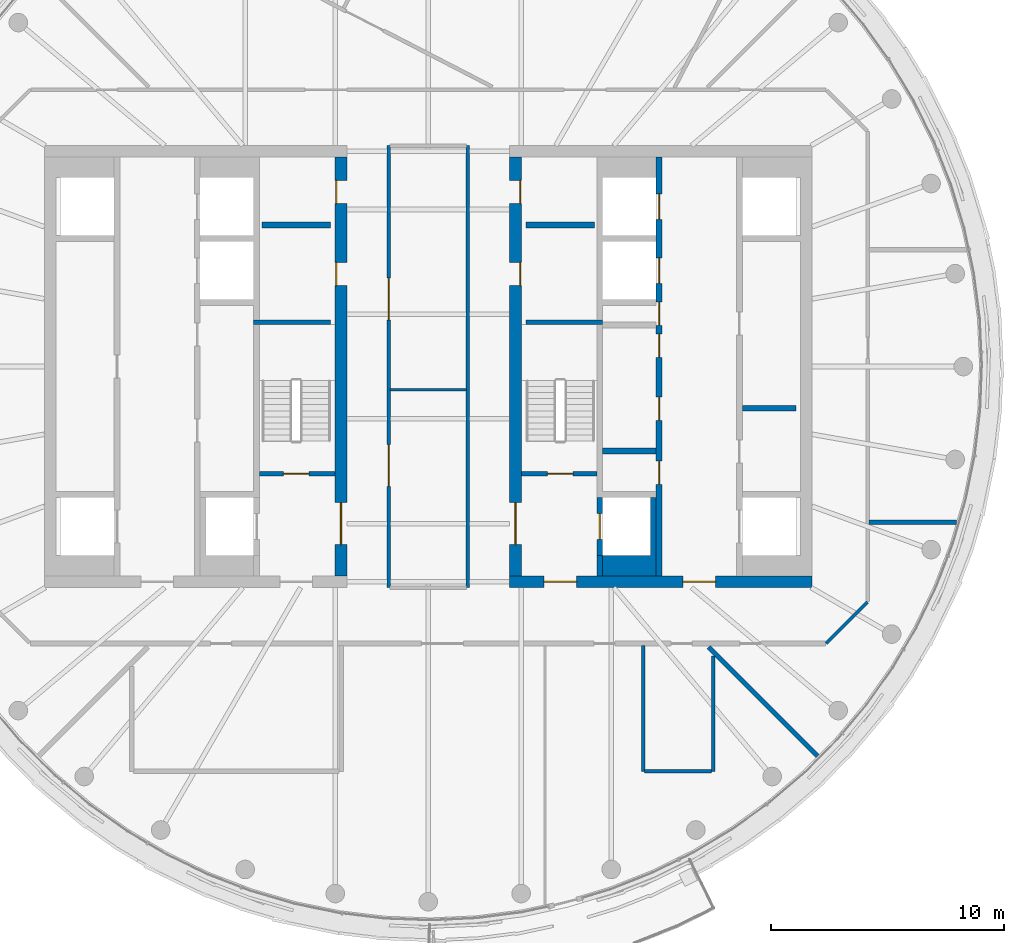
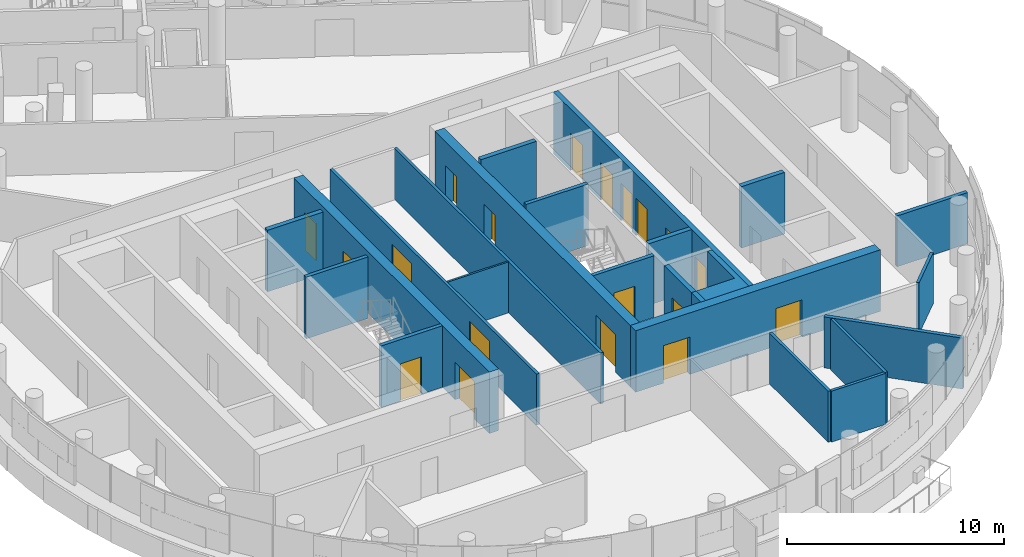
# One storey, part 14 of 21: 24 walls, 19 doors, 19 openings.
"""IFC4 building model written with IfcOpenShell, lengths in metres."""

from ifc_helpers import new_model, si_unit, direction, frame, frame_2d, origin, place, context, subcontext, project, spatial, polyline, rectangle, outline, extrude, material, layer, layer_set, type_object, element, fill, save


model = new_model("IFC4")

# Units and contexts
model_context = context("Model", 3, precision=1e-05, world=origin(), true_north=direction((0.0, 1.0)))
body_context = subcontext(model_context, "Body", "Model", "MODEL_VIEW")
ifc_project = project(units=[si_unit("LENGTHUNIT", "METRE"), si_unit("AREAUNIT", "SQUARE_METRE"), si_unit("VOLUMEUNIT", "CUBIC_METRE"), si_unit("PLANEANGLEUNIT", "RADIAN"), si_unit("MASSUNIT", "GRAM", prefix="KILO")], contexts=[model_context])

# Site, building, storey
site_placement = place(None, origin())
site = spatial("IfcSite", under=ifc_project, at=site_placement, CompositionType="ELEMENT")
building_placement = place(site_placement, origin())
building = spatial("IfcBuilding", under=site, at=building_placement, Name="Tamarind Cross Interchange Tower", CompositionType="ELEMENT")
storey_placement = place(building_placement, frame((0.0, 0.0, 260.39990234375)))
storey = spatial("IfcBuildingStorey", under=building, at=storey_placement, Name="L66", CompositionType="ELEMENT", Elevation=260.39990234375)

# Wall, openings, doors
ifc_material_1 = material(Name="Concrete C50", Category="concrete")
ifc_layer_1 = layer(ifc_material_1, 0.5)
ifc_layer_set_1 = layer_set([ifc_layer_1], Name="Concrete C50")
wall_type_1 = type_object("IfcWallType", Name="Core wall 500 mm Concrete C50", PredefinedType="SHEAR", material=ifc_layer_set_1)
wall_1_placement = place(storey_placement, frame((-3.75, -9.0, 0.0), z_axis=(0.0, 0.0, 1.0), x_axis=(0.0, 1.0, 0.0)))
wall_1 = element("IfcWall", 1, at=wall_1_placement, inside=storey, type_object=wall_type_1, Name="Core wall CWL-L66-W-IN", PredefinedType="SHEAR", context=body_context, shape_type="SweptSolid", body=[
    extrude(rectangle(XDim=18.0, YDim=0.5, at=frame_2d((9.0, 0.0))), origin(), (0.0, 0.0, 1.0), 3.460205078125),
])
opening_1_placement = place(wall_1_placement, frame((1.35009765625, 0.0, 0.0)))
opening_1 = element("IfcOpeningElement", 2, at=opening_1_placement, cuts=wall_1, Name="Opening DCW4", PredefinedType="OPENING", context=body_context, shape_type="SweptSolid", body=[
    extrude(rectangle(XDim=1.800048828125, YDim=2.10009765625, at=frame_2d((0.89990234375, 1.050048828125))), frame((0.0, 0.260009765625, 0.0), z_axis=(0.0, -1.0, 0.0), x_axis=(1.0, 0.0, 0.0)), (0.0, 0.0, 1.0), 0.52001953125),
])
opening_2_placement = place(wall_1_placement, frame((12.4775390625, 0.0, 0.0)))
opening_2 = element("IfcOpeningElement", 3, at=opening_2_placement, cuts=wall_1, Name="Opening DCW5", PredefinedType="OPENING", context=body_context, shape_type="SweptSolid", body=[
    extrude(rectangle(XDim=1.0, YDim=2.10009765625, at=frame_2d((0.5, 1.050048828125))), frame((0.0, 0.260009765625, 0.0), z_axis=(0.0, -1.0, 0.0), x_axis=(1.0, 0.0, 0.0)), (0.0, 0.0, 1.0), 0.52001953125),
])
opening_3_placement = place(wall_1_placement, frame((16.00244140625, 0.0, 0.0)))
opening_3 = element("IfcOpeningElement", 4, at=opening_3_placement, cuts=wall_1, Name="Opening DCW5", PredefinedType="OPENING", context=body_context, shape_type="SweptSolid", body=[
    extrude(rectangle(XDim=1.0, YDim=2.10009765625, at=frame_2d((0.5, 1.050048828125))), frame((0.0, 0.260009765625, 0.0), z_axis=(0.0, -1.0, 0.0), x_axis=(1.0, 0.0, 0.0)), (0.0, 0.0, 1.0), 0.52001953125),
])
ifc_material_2 = material(Name="Steel, fire-resisting", Category="steel")
door_type_1 = type_object("IfcDoorType", Name="Core fire door 1000 x 2100 FD90", OperationType="SINGLE_SWING_LEFT", PredefinedType="DOOR", material=ifc_material_2)
door_1_placement = place(opening_2_placement, origin())
door_1 = element("IfcDoor", 5, at=door_1_placement, inside=storey, type_object=door_type_1, Name="L66 housekeeping pantry door", OperationType="SINGLE_SWING_LEFT", OverallHeight=2.10009765625, OverallWidth=1.0, PredefinedType="DOOR", context=body_context, shape_type="SweptSolid", body=[
    extrude(rectangle(XDim=1.0, YDim=2.10009765625, at=frame_2d((0.5, 1.050048828125))), frame((0.0, 0.22509765625, 0.0), z_axis=(0.0, -1.0, 0.0), x_axis=(1.0, 0.0, 0.0)), (0.0, 0.0, 1.0), 0.050048828125),
])
fill(opening_2, door_1)
door_2_placement = place(opening_3_placement, origin())
door_2 = element("IfcDoor", 6, at=door_2_placement, inside=storey, type_object=door_type_1, Name="L66 linen press door", OperationType="SINGLE_SWING_LEFT", OverallHeight=2.10009765625, OverallWidth=1.0, PredefinedType="DOOR", context=body_context, shape_type="SweptSolid", body=[
    extrude(rectangle(XDim=1.0, YDim=2.10009765625, at=frame_2d((0.5, 1.050048828125))), frame((0.0, 0.22509765625, 0.0), z_axis=(0.0, -1.0, 0.0), x_axis=(1.0, 0.0, 0.0)), (0.0, 0.0, 1.0), 0.050048828125),
])
fill(opening_3, door_2)
door_type_2 = type_object("IfcDoorType", Name="Core fire door 1800 x 2100 FD90", OperationType="SINGLE_SWING_LEFT", PredefinedType="DOOR", material=ifc_material_2)
door_3_placement = place(opening_1_placement, origin())
door_3 = element("IfcDoor", 7, at=door_3_placement, inside=storey, type_object=door_type_2, Name="L66 firefighting lobby door", OperationType="SINGLE_SWING_LEFT", OverallHeight=2.10009765625, OverallWidth=1.800048828125, PredefinedType="DOOR", context=body_context, shape_type="SweptSolid", body=[
    extrude(rectangle(XDim=1.800048828125, YDim=2.10009765625, at=frame_2d((0.89990234375, 1.050048828125))), frame((0.0, 0.02490234375, 0.0), z_axis=(0.0, -1.0, 0.0), x_axis=(1.0, 0.0, 0.0)), (0.0, 0.0, 1.0), 0.050048828125),
])
fill(opening_1, door_3)

wall_2_placement = place(storey_placement, frame((16.5, -9.25, 0.0), z_axis=(0.0, 0.0, 1.0), x_axis=(-1.0, 0.0, 0.0)))
wall_2 = element("IfcWall", 8, at=wall_2_placement, inside=storey, type_object=wall_type_1, Name="Core wall CWL-L66-E-S", PredefinedType="SHEAR", context=body_context, shape_type="SweptSolid", body=[
    extrude(rectangle(XDim=13.0, YDim=0.5, at=frame_2d((6.5, 0.0))), origin(), (0.0, 0.0, 1.0), 3.460205078125),
])
opening_4_placement = place(wall_2_placement, frame((4.14990234375, 0.0, 0.0)))
opening_4 = element("IfcOpeningElement", 9, at=opening_4_placement, cuts=wall_2, Name="Opening DCE1", PredefinedType="OPENING", context=body_context, shape_type="SweptSolid", body=[
    extrude(rectangle(XDim=1.39990234375, YDim=2.10009765625, at=frame_2d((0.699951171875, 1.050048828125))), frame((0.0, 0.260009765625, 0.0), z_axis=(0.0, -1.0, 0.0), x_axis=(1.0, 0.0, 0.0)), (0.0, 0.0, 1.0), 0.52001953125),
])
opening_5_placement = place(wall_2_placement, frame((10.125, 0.0, 0.0)))
opening_5 = element("IfcOpeningElement", 10, at=opening_5_placement, cuts=wall_2, Name="Opening DCEF", PredefinedType="OPENING", context=body_context, shape_type="SweptSolid", body=[
    extrude(rectangle(XDim=1.39990234375, YDim=2.10009765625, at=frame_2d((0.699951171875, 1.050048828125))), frame((0.0, 0.260009765625, 0.0), z_axis=(0.0, -1.0, 0.0), x_axis=(1.0, 0.0, 0.0)), (0.0, 0.0, 1.0), 0.52001953125),
])
door_type_3 = type_object("IfcDoorType", Name="Core fire door 1400 x 2100 FD90", OperationType="SINGLE_SWING_LEFT", PredefinedType="DOOR", material=ifc_material_2)
door_4_placement = place(opening_4_placement, origin())
door_4 = element("IfcDoor", 11, at=door_4_placement, inside=storey, type_object=door_type_3, Name="L66 lift lobby door", OperationType="SINGLE_SWING_LEFT", OverallHeight=2.10009765625, OverallWidth=1.39990234375, PredefinedType="DOOR", context=body_context, shape_type="SweptSolid", body=[
    extrude(rectangle(XDim=1.39990234375, YDim=2.10009765625, at=frame_2d((0.699951171875, 1.050048828125))), frame((0.0, 0.02490234375, 0.0), z_axis=(0.0, -1.0, 0.0), x_axis=(1.0, 0.0, 0.0)), (0.0, 0.0, 1.0), 0.050048828125),
])
fill(opening_4, door_4)
door_5_placement = place(opening_5_placement, origin())
door_5 = element("IfcDoor", 12, at=door_5_placement, inside=storey, type_object=door_type_3, Name="L66 firefighting lobby end door", OperationType="SINGLE_SWING_LEFT", OverallHeight=2.10009765625, OverallWidth=1.39990234375, PredefinedType="DOOR", context=body_context, shape_type="SweptSolid", body=[
    extrude(rectangle(XDim=1.39990234375, YDim=2.10009765625, at=frame_2d((0.699951171875, 1.050048828125))), frame((0.0, 0.02490234375, 0.0), z_axis=(0.0, -1.0, 0.0), x_axis=(1.0, 0.0, 0.0)), (0.0, 0.0, 1.0), 0.050048828125),
])
fill(opening_5, door_5)

wall_3_placement = place(storey_placement, frame((3.75, -9.0, 0.0), z_axis=(0.0, 0.0, 1.0), x_axis=(0.0, 1.0, 0.0)))
wall_3 = element("IfcWall", 13, at=wall_3_placement, inside=storey, type_object=wall_type_1, Name="Core wall CWL-L66-E-IN", PredefinedType="SHEAR", context=body_context, shape_type="SweptSolid", body=[
    extrude(rectangle(XDim=18.0, YDim=0.5, at=frame_2d((9.0, 0.0))), origin(), (0.0, 0.0, 1.0), 3.460205078125),
])
opening_6_placement = place(wall_3_placement, frame((1.35009765625, 0.0, 0.0)))
opening_6 = element("IfcOpeningElement", 14, at=opening_6_placement, cuts=wall_3, Name="Opening DCE4", PredefinedType="OPENING", context=body_context, shape_type="SweptSolid", body=[
    extrude(rectangle(XDim=1.800048828125, YDim=2.10009765625, at=frame_2d((0.89990234375, 1.050048828125))), frame((0.0, 0.260009765625, 0.0), z_axis=(0.0, -1.0, 0.0), x_axis=(1.0, 0.0, 0.0)), (0.0, 0.0, 1.0), 0.52001953125),
])
opening_7_placement = place(wall_3_placement, frame((12.4775390625, 0.0, 0.0)))
opening_7 = element("IfcOpeningElement", 15, at=opening_7_placement, cuts=wall_3, Name="Opening DCE5", PredefinedType="OPENING", context=body_context, shape_type="SweptSolid", body=[
    extrude(rectangle(XDim=1.0, YDim=2.10009765625, at=frame_2d((0.5, 1.050048828125))), frame((0.0, 0.260009765625, 0.0), z_axis=(0.0, -1.0, 0.0), x_axis=(1.0, 0.0, 0.0)), (0.0, 0.0, 1.0), 0.52001953125),
])
opening_8_placement = place(wall_3_placement, frame((16.00244140625, 0.0, 0.0)))
opening_8 = element("IfcOpeningElement", 16, at=opening_8_placement, cuts=wall_3, Name="Opening DCE5", PredefinedType="OPENING", context=body_context, shape_type="SweptSolid", body=[
    extrude(rectangle(XDim=1.0, YDim=2.10009765625, at=frame_2d((0.5, 1.050048828125))), frame((0.0, 0.260009765625, 0.0), z_axis=(0.0, -1.0, 0.0), x_axis=(1.0, 0.0, 0.0)), (0.0, 0.0, 1.0), 0.52001953125),
])
door_6_placement = place(opening_7_placement, origin())
door_6 = element("IfcDoor", 17, at=door_6_placement, inside=storey, type_object=door_type_1, Name="L66 housekeeping pantry door", OperationType="SINGLE_SWING_LEFT", OverallHeight=2.10009765625, OverallWidth=1.0, PredefinedType="DOOR", context=body_context, shape_type="SweptSolid", body=[
    extrude(rectangle(XDim=1.0, YDim=2.10009765625, at=frame_2d((0.5, 1.050048828125))), frame((0.0, -0.1748046875, 0.0), z_axis=(0.0, -1.0, 0.0), x_axis=(1.0, 0.0, 0.0)), (0.0, 0.0, 1.0), 0.050048828125),
])
fill(opening_7, door_6)
door_7_placement = place(opening_8_placement, origin())
door_7 = element("IfcDoor", 18, at=door_7_placement, inside=storey, type_object=door_type_1, Name="L66 linen press door", OperationType="SINGLE_SWING_LEFT", OverallHeight=2.10009765625, OverallWidth=1.0, PredefinedType="DOOR", context=body_context, shape_type="SweptSolid", body=[
    extrude(rectangle(XDim=1.0, YDim=2.10009765625, at=frame_2d((0.5, 1.050048828125))), frame((0.0, -0.1748046875, 0.0), z_axis=(0.0, -1.0, 0.0), x_axis=(1.0, 0.0, 0.0)), (0.0, 0.0, 1.0), 0.050048828125),
])
fill(opening_8, door_7)
door_8_placement = place(opening_6_placement, origin())
door_8 = element("IfcDoor", 19, at=door_8_placement, inside=storey, type_object=door_type_2, Name="L66 firefighting lobby door", OperationType="SINGLE_SWING_LEFT", OverallHeight=2.10009765625, OverallWidth=1.800048828125, PredefinedType="DOOR", context=body_context, shape_type="SweptSolid", body=[
    extrude(rectangle(XDim=1.800048828125, YDim=2.10009765625, at=frame_2d((0.89990234375, 1.050048828125))), frame((0.0, 0.02490234375, 0.0), z_axis=(0.0, -1.0, 0.0), x_axis=(1.0, 0.0, 0.0)), (0.0, 0.0, 1.0), 0.050048828125),
])
fill(opening_6, door_8)

# Walls
ifc_layer_2 = layer(ifc_material_1, 0.199951171875)
ifc_layer_set_2 = layer_set([ifc_layer_2], Name="Concrete C50")
wall_type_2 = type_object("IfcWallType", Name="Core web wall 200 mm Concrete C50", PredefinedType="SHEAR", material=ifc_layer_set_2)
for number, where, z_axis, x_axis, name in (
    (20, (-7.5, 1.89990234375, 0.0), (0.0, 0.0, 1.0), (1.0, 0.0, 0.0), "Core wall CWL-L66-W-BD"),
    (21, (7.5, 1.89990234375, 0.0), (0.0, 0.0, 1.0), (-1.0, 0.0, 0.0), "Core wall CWL-L66-E-BD"),
):
    element("IfcWall", number, at=place(storey_placement, frame(where, z_axis=z_axis, x_axis=x_axis)), inside=storey, type_object=wall_type_2, Name=name, PredefinedType="SHEAR", context=body_context, shape_type="SweptSolid", body=[
        extrude(rectangle(XDim=3.300048828125, YDim=0.199951171875, at=frame_2d((1.64990234375, 0.0))), origin(), (0.0, 0.0, 1.0), 3.460205078125),
    ])
ifc_layer_3 = layer(ifc_material_1, 0.25)
ifc_layer_set_3 = layer_set([ifc_layer_3], Name="Concrete C50")
wall_type_3 = type_object("IfcWallType", Name="Core web wall 250 mm Concrete C50", PredefinedType="SHEAR", material=ifc_layer_set_3)
wall_4_placement = place(storey_placement, origin())
element("IfcWall", 22, at=wall_4_placement, inside=storey, type_object=wall_type_3, Name="Core wall CWL-L66-E-BS", PredefinedType="SHEAR", context=body_context, shape_type="SweptSolid", body=[
    extrude(outline(polyline([(7.5, -8.125), (7.5, -9.0), (9.800048828125, -9.0), (9.800048828125, -8.125), (9.800048828125, -5.625), (9.550048828125, -5.625), (9.550048828125, -8.125), (7.5, -8.125)])), origin(), (0.0, 0.0, 1.0), 3.460205078125),
])
wall_5_placement = place(storey_placement, frame((7.375, -9.0, 0.0), z_axis=(0.0, 0.0, 1.0), x_axis=(0.0, 1.0, 0.0)))
element("IfcWall", 23, at=wall_5_placement, inside=storey, type_object=wall_type_3, Name="Core wall CWL-L66-E-BW", PredefinedType="SHEAR", context=body_context, shape_type="SweptSolid", body=[
    extrude(rectangle(XDim=0.875, YDim=0.25, at=frame_2d((0.4375, 0.0))), origin(), (0.0, 0.0, 1.0), 3.460205078125),
])

# Wall, openings, doors
wall_6_placement = place(storey_placement, frame((9.925048828125, -9.0, 0.0), z_axis=(0.0, 0.0, 1.0), x_axis=(0.0, 1.0, 0.0)))
wall_6 = element("IfcWall", 24, at=wall_6_placement, inside=storey, type_object=wall_type_3, Name="Core wall CWL-L66-E-LB", PredefinedType="SHEAR", context=body_context, shape_type="SweptSolid", body=[
    extrude(rectangle(XDim=18.0, YDim=0.25, at=frame_2d((9.0, 0.0))), origin(), (0.0, 0.0, 1.0), 3.460205078125),
])
opening_9_placement = place(wall_6_placement, frame((12.574951171875, 0.0, 0.0)))
opening_9 = element("IfcOpeningElement", 25, at=opening_9_placement, cuts=wall_6, Name="Opening LD23L66", PredefinedType="OPENING", context=body_context, shape_type="SweptSolid", body=[
    extrude(rectangle(XDim=1.10009765625, YDim=2.10009765625, at=frame_2d((0.550048828125, 1.050048828125))), frame((0.0, 0.135009765625, 0.0), z_axis=(0.0, -1.0, 0.0), x_axis=(1.0, 0.0, 0.0)), (0.0, 0.0, 1.0), 0.27001953125),
])
opening_10_placement = place(wall_6_placement, frame((15.324951171875, 0.0, 0.0)))
opening_10 = element("IfcOpeningElement", 26, at=opening_10_placement, cuts=wall_6, Name="Opening LD24L66", PredefinedType="OPENING", context=body_context, shape_type="SweptSolid", body=[
    extrude(rectangle(XDim=1.10009765625, YDim=2.10009765625, at=frame_2d((0.550048828125, 1.050048828125))), frame((0.0, 0.135009765625, 0.0), z_axis=(0.0, -1.0, 0.0), x_axis=(1.0, 0.0, 0.0)), (0.0, 0.0, 1.0), 0.27001953125),
])
opening_11_placement = place(wall_6_placement, frame((3.9375, 0.0, 0.0)))
opening_11 = element("IfcOpeningElement", 27, at=opening_11_placement, cuts=wall_6, Name="Opening DCE21", PredefinedType="OPENING", context=body_context, shape_type="SweptSolid", body=[
    extrude(rectangle(XDim=1.0, YDim=2.10009765625, at=frame_2d((0.5, 1.050048828125))), frame((0.0, 0.135009765625, 0.0), z_axis=(0.0, -1.0, 0.0), x_axis=(1.0, 0.0, 0.0)), (0.0, 0.0, 1.0), 0.27001953125),
])
opening_12_placement = place(wall_6_placement, frame((6.6875, 0.0, 0.0)))
opening_12 = element("IfcOpeningElement", 28, at=opening_12_placement, cuts=wall_6, Name="Opening DCE22", PredefinedType="OPENING", context=body_context, shape_type="SweptSolid", body=[
    extrude(rectangle(XDim=1.0, YDim=2.10009765625, at=frame_2d((0.5, 1.050048828125))), frame((0.0, 0.135009765625, 0.0), z_axis=(0.0, -1.0, 0.0), x_axis=(1.0, 0.0, 0.0)), (0.0, 0.0, 1.0), 0.27001953125),
])
opening_13_placement = place(wall_6_placement, frame((9.39599609375, 0.0, 0.0)))
opening_13 = element("IfcOpeningElement", 29, at=opening_13_placement, cuts=wall_6, Name="Opening DCE21", PredefinedType="OPENING", context=body_context, shape_type="SweptSolid", body=[
    extrude(rectangle(XDim=1.0, YDim=2.10009765625, at=frame_2d((0.5, 1.050048828125))), frame((0.0, 0.135009765625, 0.0), z_axis=(0.0, -1.0, 0.0), x_axis=(1.0, 0.0, 0.0)), (0.0, 0.0, 1.0), 0.27001953125),
])
opening_14_placement = place(wall_6_placement, frame((10.77099609375, 0.0, 0.0)))
opening_14 = element("IfcOpeningElement", 30, at=opening_14_placement, cuts=wall_6, Name="Opening DCE22", PredefinedType="OPENING", context=body_context, shape_type="SweptSolid", body=[
    extrude(rectangle(XDim=1.0, YDim=2.10009765625, at=frame_2d((0.5, 1.050048828125))), frame((0.0, 0.135009765625, 0.0), z_axis=(0.0, -1.0, 0.0), x_axis=(1.0, 0.0, 0.0)), (0.0, 0.0, 1.0), 0.27001953125),
])
door_9_placement = place(opening_11_placement, origin())
door_9 = element("IfcDoor", 31, at=door_9_placement, inside=storey, type_object=door_type_1, Name="L66 Linen press door", OperationType="SINGLE_SWING_LEFT", OverallHeight=2.10009765625, OverallWidth=1.0, PredefinedType="DOOR", context=body_context, shape_type="SweptSolid", body=[
    extrude(rectangle(XDim=1.0, YDim=2.10009765625, at=frame_2d((0.5, 1.050048828125))), frame((0.0, 0.02490234375, 0.0), z_axis=(0.0, -1.0, 0.0), x_axis=(1.0, 0.0, 0.0)), (0.0, 0.0, 1.0), 0.050048828125),
])
fill(opening_11, door_9)
door_10_placement = place(opening_12_placement, origin())
door_10 = element("IfcDoor", 32, at=door_10_placement, inside=storey, type_object=door_type_1, Name="L66 Hotel pantry door", OperationType="SINGLE_SWING_LEFT", OverallHeight=2.10009765625, OverallWidth=1.0, PredefinedType="DOOR", context=body_context, shape_type="SweptSolid", body=[
    extrude(rectangle(XDim=1.0, YDim=2.10009765625, at=frame_2d((0.5, 1.050048828125))), frame((0.0, 0.02490234375, 0.0), z_axis=(0.0, -1.0, 0.0), x_axis=(1.0, 0.0, 0.0)), (0.0, 0.0, 1.0), 0.050048828125),
])
fill(opening_12, door_10)
door_11_placement = place(opening_13_placement, origin())
door_11 = element("IfcDoor", 33, at=door_11_placement, inside=storey, type_object=door_type_1, Name="L66 Linen press door", OperationType="SINGLE_SWING_LEFT", OverallHeight=2.10009765625, OverallWidth=1.0, PredefinedType="DOOR", context=body_context, shape_type="SweptSolid", body=[
    extrude(rectangle(XDim=1.0, YDim=2.10009765625, at=frame_2d((0.5, 1.050048828125))), frame((0.0, 0.02490234375, 0.0), z_axis=(0.0, -1.0, 0.0), x_axis=(1.0, 0.0, 0.0)), (0.0, 0.0, 1.0), 0.050048828125),
])
fill(opening_13, door_11)
door_12_placement = place(opening_14_placement, origin())
door_12 = element("IfcDoor", 34, at=door_12_placement, inside=storey, type_object=door_type_1, Name="L66 Hotel pantry door", OperationType="SINGLE_SWING_LEFT", OverallHeight=2.10009765625, OverallWidth=1.0, PredefinedType="DOOR", context=body_context, shape_type="SweptSolid", body=[
    extrude(rectangle(XDim=1.0, YDim=2.10009765625, at=frame_2d((0.5, 1.050048828125))), frame((0.0, 0.02490234375, 0.0), z_axis=(0.0, -1.0, 0.0), x_axis=(1.0, 0.0, 0.0)), (0.0, 0.0, 1.0), 0.050048828125),
])
fill(opening_14, door_12)
ifc_material_3 = material(Name="Stainless steel panel", Category="steel")
door_type_4 = type_object("IfcDoorType", Name="Lift landing door 1100 x 2100 E 120", OperationType="SLIDING_TO_LEFT", PredefinedType="DOOR", material=ifc_material_3)
door_13_placement = place(opening_9_placement, origin())
door_13 = element("IfcDoor", 35, at=door_13_placement, inside=storey, type_object=door_type_4, Name="L66 landing door LF23", OperationType="SLIDING_TO_LEFT", OverallHeight=2.10009765625, OverallWidth=1.10009765625, PredefinedType="DOOR", context=body_context, shape_type="SweptSolid", body=[
    extrude(rectangle(XDim=1.10009765625, YDim=2.10009765625, at=frame_2d((0.550048828125, 1.050048828125))), frame((0.0, 0.02490234375, 0.0), z_axis=(0.0, -1.0, 0.0), x_axis=(1.0, 0.0, 0.0)), (0.0, 0.0, 1.0), 0.050048828125),
])
fill(opening_9, door_13)
door_14_placement = place(opening_10_placement, origin())
door_14 = element("IfcDoor", 36, at=door_14_placement, inside=storey, type_object=door_type_4, Name="L66 landing door LF24", OperationType="SLIDING_TO_LEFT", OverallHeight=2.10009765625, OverallWidth=1.10009765625, PredefinedType="DOOR", context=body_context, shape_type="SweptSolid", body=[
    extrude(rectangle(XDim=1.10009765625, YDim=2.10009765625, at=frame_2d((0.550048828125, 1.050048828125))), frame((0.0, 0.02490234375, 0.0), z_axis=(0.0, -1.0, 0.0), x_axis=(1.0, 0.0, 0.0)), (0.0, 0.0, 1.0), 0.050048828125),
])
fill(opening_10, door_14)

# Wall, opening, door
wall_7_placement = place(storey_placement, frame((7.375, -8.125, 0.0), z_axis=(0.0, 0.0, 1.0), x_axis=(0.0, 1.0, 0.0)))
wall_7 = element("IfcWall", 37, at=wall_7_placement, inside=storey, type_object=wall_type_3, Name="Core wall CWL-L66-E-FF", PredefinedType="SHEAR", context=body_context, shape_type="SweptSolid", body=[
    extrude(rectangle(XDim=2.5, YDim=0.25, at=frame_2d((1.25, 0.0))), origin(), (0.0, 0.0, 1.0), 3.460205078125),
])
opening_15_placement = place(wall_7_placement, frame((0.699951171875, 0.0, 0.0)))
opening_15 = element("IfcOpeningElement", 38, at=opening_15_placement, cuts=wall_7, Name="Opening LD19L66", PredefinedType="OPENING", context=body_context, shape_type="SweptSolid", body=[
    extrude(rectangle(XDim=1.10009765625, YDim=2.10009765625, at=frame_2d((0.550048828125, 1.050048828125))), frame((0.0, 0.135009765625, 0.0), z_axis=(0.0, -1.0, 0.0), x_axis=(1.0, 0.0, 0.0)), (0.0, 0.0, 1.0), 0.27001953125),
])
door_15_placement = place(opening_15_placement, origin())
door_15 = element("IfcDoor", 39, at=door_15_placement, inside=storey, type_object=door_type_4, Name="L66 landing door LF19", OperationType="SLIDING_TO_LEFT", OverallHeight=2.10009765625, OverallWidth=1.10009765625, PredefinedType="DOOR", context=body_context, shape_type="SweptSolid", body=[
    extrude(rectangle(XDim=1.10009765625, YDim=2.10009765625, at=frame_2d((0.550048828125, 1.050048828125))), frame((0.0, 0.02490234375, 0.0), z_axis=(0.0, -1.0, 0.0), x_axis=(1.0, 0.0, 0.0)), (0.0, 0.0, 1.0), 0.050048828125),
])
fill(opening_15, door_15)

# Walls
ifc_material_4 = material(Name="Gypsum board partition on steel studs", Category="steel")
ifc_layer_4 = layer(ifc_material_4, 0.10009765625)
ifc_layer_set_4 = layer_set([ifc_layer_4], Name="Gypsum board partition on steel studs")
wall_type_4 = type_object("IfcWallType", Name="Partition 100 mm EI 120", PredefinedType="PARTITIONING", material=ifc_layer_set_4)
wall_8_placement = place(storey_placement, frame((-1.639892578125, -1.0, 0.0), z_axis=(0.0, 0.0, 1.0), x_axis=(1.0, 0.0, 0.0)))
element("IfcWall", 40, at=wall_8_placement, inside=storey, type_object=wall_type_4, Name="Partition L66-023", PredefinedType="PARTITIONING", context=body_context, shape_type="SweptSolid", body=[
    extrude(rectangle(XDim=3.27978515625, YDim=0.10009765625, at=frame_2d((1.639892578125, 0.0))), origin(), (0.0, 0.0, 1.0), 2.864013671875),
])
ifc_layer_5 = layer(ifc_material_4, 0.14990234375)
ifc_layer_set_5 = layer_set([ifc_layer_5], Name="Gypsum board partition on steel studs")
wall_type_5 = type_object("IfcWallType", Name="Partition 150 mm EI 120", PredefinedType="PARTITIONING", material=ifc_layer_set_5)
wall_9_placement = place(storey_placement, frame((9.2958984375, -17.39990234375, 0.0), z_axis=(0.0, 0.0, 1.0), x_axis=(1.0, 0.0, 0.0)))
element("IfcWall", 41, at=wall_9_placement, inside=storey, type_object=wall_type_5, Name="Partition L66-021", PredefinedType="PARTITIONING", context=body_context, shape_type="SweptSolid", body=[
    extrude(rectangle(XDim=2.89013671875, YDim=0.14990234375, at=frame_2d((1.445068359375, 0.0))), origin(), (0.0, 0.0, 1.0), 2.864013671875),
])
wall_10_placement = place(storey_placement, frame((17.10009765625, -11.89990234375, 0.0), z_axis=(0.0, 0.0, 1.0), x_axis=(0.707106781187, 0.707106781187, 0.0)))
element("IfcWall", 42, at=wall_10_placement, inside=storey, type_object=wall_type_5, Name="Partition L66-030", PredefinedType="PARTITIONING", context=body_context, shape_type="SweptSolid", body=[
    extrude(rectangle(XDim=2.50537109375, YDim=0.14990234375, at=frame_2d((1.252685546875, 0.0))), origin(), (0.0, 0.0, 1.0), 2.864013671875),
])

# Wall, openings, doors
wall_11_placement = place(storey_placement, frame((-1.699951171875, -9.5, 0.0), z_axis=(0.0, 0.0, 1.0), x_axis=(0.0, 1.0, 0.0)))
wall_11 = element("IfcWall", 43, at=wall_11_placement, inside=storey, type_object=wall_type_5, Name="Partition L66-044", PredefinedType="PARTITIONING", context=body_context, shape_type="SweptSolid", body=[
    extrude(rectangle(XDim=19.0, YDim=0.14990234375, at=frame_2d((9.5, 0.0))), origin(), (0.0, 0.0, 1.0), 2.864013671875),
])
opening_16_placement = place(wall_11_placement, frame((4.35009765625, 0.0, 0.0)))
opening_16 = element("IfcOpeningElement", 44, at=opening_16_placement, cuts=wall_11, Name="Opening D23", PredefinedType="OPENING", context=body_context, shape_type="SweptSolid", body=[
    extrude(rectangle(XDim=1.800048828125, YDim=2.10009765625, at=frame_2d((0.89990234375, 1.050048828125))), frame((0.0, 0.0849609375, 0.0), z_axis=(0.0, -1.0, 0.0), x_axis=(1.0, 0.0, 0.0)), (0.0, 0.0, 1.0), 0.169921875),
])
opening_17_placement = place(wall_11_placement, frame((11.5, 0.0, 0.0)))
opening_17 = element("IfcOpeningElement", 45, at=opening_17_placement, cuts=wall_11, Name="Opening D24", PredefinedType="OPENING", context=body_context, shape_type="SweptSolid", body=[
    extrude(rectangle(XDim=1.800048828125, YDim=2.10009765625, at=frame_2d((0.89990234375, 1.050048828125))), frame((0.0, 0.0849609375, 0.0), z_axis=(0.0, -1.0, 0.0), x_axis=(1.0, 0.0, 0.0)), (0.0, 0.0, 1.0), 0.169921875),
])
ifc_material_5 = material(Name="Fire-resisting door set")
door_type_5 = type_object("IfcDoorType", Name="Interior door 1800 x 2100 FD60S", OperationType="DOUBLE_DOOR_SINGLE_SWING", PredefinedType="DOOR", material=ifc_material_5)
door_16_placement = place(opening_16_placement, frame((1.800048828125, 0.0, 0.0), z_axis=(0.0, 0.0, 1.0), x_axis=(-1.0, 0.0, 0.0)))
door_16 = element("IfcDoor", 46, at=door_16_placement, inside=storey, type_object=door_type_5, Name="Door D23", OperationType="DOUBLE_DOOR_SINGLE_SWING", OverallHeight=2.10009765625, OverallWidth=1.800048828125, PredefinedType="DOOR", context=body_context, shape_type="SweptSolid", body=[
    extrude(rectangle(XDim=1.800048828125, YDim=2.10009765625, at=frame_2d((0.89990234375, 1.050048828125))), frame((0.0, 0.02490234375, 0.0), z_axis=(0.0, -1.0, 0.0), x_axis=(1.0, 0.0, 0.0)), (0.0, 0.0, 1.0), 0.050048828125),
])
fill(opening_16, door_16)
door_17_placement = place(opening_17_placement, frame((1.800048828125, 0.0, 0.0), z_axis=(0.0, 0.0, 1.0), x_axis=(-1.0, 0.0, 0.0)))
door_17 = element("IfcDoor", 47, at=door_17_placement, inside=storey, type_object=door_type_5, Name="Door D24", OperationType="DOUBLE_DOOR_SINGLE_SWING", OverallHeight=2.10009765625, OverallWidth=1.800048828125, PredefinedType="DOOR", context=body_context, shape_type="SweptSolid", body=[
    extrude(rectangle(XDim=1.800048828125, YDim=2.10009765625, at=frame_2d((0.89990234375, 1.050048828125))), frame((0.0, 0.02490234375, 0.0), z_axis=(0.0, -1.0, 0.0), x_axis=(1.0, 0.0, 0.0)), (0.0, 0.0, 1.0), 0.050048828125),
])
fill(opening_17, door_17)

# Walls
wall_12_placement = place(storey_placement, frame((1.699951171875, -9.5, 0.0), z_axis=(0.0, 0.0, 1.0), x_axis=(0.0, 1.0, 0.0)))
element("IfcWall", 48, at=wall_12_placement, inside=storey, type_object=wall_type_5, Name="Partition L66-045", PredefinedType="PARTITIONING", context=body_context, shape_type="SweptSolid", body=[
    extrude(rectangle(XDim=19.0, YDim=0.14990234375, at=frame_2d((9.5, 0.0))), origin(), (0.0, 0.0, 1.0), 2.864013671875),
])
wall_13_placement = place(storey_placement, frame((9.240966796875, -17.39990234375, 0.0), z_axis=(0.0, 0.0, 1.0), x_axis=(0.0, 1.0, 0.0)))
element("IfcWall", 49, at=wall_13_placement, inside=storey, type_object=wall_type_5, Name="Partition L66-047", PredefinedType="PARTITIONING", context=body_context, shape_type="SweptSolid", body=[
    extrude(rectangle(XDim=5.419921875, YDim=0.14990234375, at=frame_2d((2.7099609375, 0.0))), origin(), (0.0, 0.0, 1.0), 2.864013671875),
])
wall_14_placement = place(storey_placement, frame((12.240966796875, -17.39990234375, 0.0), z_axis=(0.0, 0.0, 1.0), x_axis=(0.0, 1.0, 0.0)))
element("IfcWall", 50, at=wall_14_placement, inside=storey, type_object=wall_type_5, Name="Partition L66-048", PredefinedType="PARTITIONING", context=body_context, shape_type="SweptSolid", body=[
    extrude(rectangle(XDim=4.958984375, YDim=0.14990234375, at=frame_2d((2.4794921875, 0.0))), origin(), (0.0, 0.0, 1.0), 2.864013671875),
])
ifc_layer_6 = layer(ifc_material_4, 0.199951171875)
ifc_layer_set_6 = layer_set([ifc_layer_6], Name="Gypsum board partition on steel studs")
wall_type_6 = type_object("IfcWallType", Name="Partition 200 mm EI 180", PredefinedType="PARTITIONING", material=ifc_layer_set_6)
wall_15_placement = place(storey_placement, frame((12.052001953125, -12.052001953125, 0.0), z_axis=(0.0, 0.0, 1.0), x_axis=(0.707106781187, -0.707106781187, 0.0)))
element("IfcWall", 51, at=wall_15_placement, inside=storey, type_object=wall_type_6, Name="Partition L66-003", PredefinedType="PARTITIONING", context=body_context, shape_type="SweptSolid", body=[
    extrude(rectangle(XDim=6.630615234375, YDim=0.199951171875, at=frame_2d((3.3154296875, 0.0))), origin(), (0.0, 0.0, 1.0), 2.864013671875),
])
wall_16_placement = place(storey_placement, frame((18.955078125, -6.696044921875, 0.0), z_axis=(0.0, 0.0, 1.0), x_axis=(1.0, 0.0, 0.0)))
element("IfcWall", 52, at=wall_16_placement, inside=storey, type_object=wall_type_6, Name="Partition L66-025", PredefinedType="PARTITIONING", context=body_context, shape_type="SweptSolid", body=[
    extrude(rectangle(XDim=3.7529296875, YDim=0.199951171875, at=frame_2d((1.87646484375, 0.0))), origin(), (0.0, 0.0, 1.0), 2.864013671875),
])
ifc_material_6 = material(Name="Concrete C40", Category="concrete")
ifc_layer_7 = layer(ifc_material_6, 0.25)
ifc_layer_set_7 = layer_set([ifc_layer_7], Name="Concrete C40")
wall_type_7 = type_object("IfcWallType", Name="Shaft and lobby wall 250 mm Concrete C40", PredefinedType="PARTITIONING", material=ifc_layer_set_7)
for number, where, z_axis, x_axis, name in (
    (53, (-7.14990234375, 6.080078125, 0.0), (0.0, 0.0, 1.0), (1.0, 0.0, 0.0), "Shaft wall CWL-L66-W-SVP"),
    (54, (7.14990234375, 6.080078125, 0.0), (0.0, 0.0, 1.0), (-1.0, 0.0, 0.0), "Shaft wall CWL-L66-E-SVP"),
):
    element("IfcWall", number, at=place(storey_placement, frame(where, z_axis=z_axis, x_axis=x_axis)), inside=storey, type_object=wall_type_7, Name=name, PredefinedType="PARTITIONING", context=body_context, shape_type="SweptSolid", body=[
        extrude(rectangle(XDim=2.949951171875, YDim=0.25, at=frame_2d((1.47509765625, 0.0))), origin(), (0.0, 0.0, 1.0), 3.460205078125),
    ])
for number, where, z_axis, x_axis, name in (
    (55, (15.800048828125, -1.7919921875, 0.0), (0.0, 0.0, 1.0), (-1.0, 0.0, 0.0), "Shaft wall CWL-L66-E-FPA1"),
    (56, (9.800048828125, -3.625, 0.0), (0.0, 0.0, 1.0), (-1.0, 0.0, 0.0), "Shaft wall CWL-L66-E-FPB1"),
):
    element("IfcWall", number, at=place(storey_placement, frame(where, z_axis=z_axis, x_axis=x_axis)), inside=storey, type_object=wall_type_7, Name=name, PredefinedType="PARTITIONING", context=body_context, shape_type="SweptSolid", body=[
        extrude(rectangle(XDim=2.300048828125, YDim=0.25, at=frame_2d((1.14990234375, 0.0))), origin(), (0.0, 0.0, 1.0), 3.460205078125),
    ])

# Wall, opening, door
ifc_layer_8 = layer(ifc_material_6, 0.199951171875)
ifc_layer_set_8 = layer_set([ifc_layer_8], Name="Concrete C40")
wall_type_8 = type_object("IfcWallType", Name="Stair shaft wall 200 mm Concrete C40", PredefinedType="SHEAR", material=ifc_layer_set_8)
wall_17_placement = place(storey_placement, frame((-7.25, -4.60009765625, 0.0), z_axis=(0.0, 0.0, 1.0), x_axis=(1.0, 0.0, 0.0)))
wall_17 = element("IfcWall", 57, at=wall_17_placement, inside=storey, type_object=wall_type_8, Name="Core wall CWL-L66-W-SD", PredefinedType="SHEAR", context=body_context, shape_type="SweptSolid", body=[
    extrude(rectangle(XDim=3.25, YDim=0.199951171875, at=frame_2d((1.625, 0.0))), origin(), (0.0, 0.0, 1.0), 3.460205078125),
])
opening_18_placement = place(wall_17_placement, frame((1.02490234375, 0.0, 0.0)))
opening_18 = element("IfcOpeningElement", 58, at=opening_18_placement, cuts=wall_17, Name="Opening DCW6", PredefinedType="OPENING", context=body_context, shape_type="SweptSolid", body=[
    extrude(rectangle(XDim=1.10009765625, YDim=2.10009765625, at=frame_2d((0.550048828125, 1.050048828125))), frame((0.0, 0.10986328125, 0.0), z_axis=(0.0, -1.0, 0.0), x_axis=(1.0, 0.0, 0.0)), (0.0, 0.0, 1.0), 0.219970703125),
])
door_type_6 = type_object("IfcDoorType", Name="Core fire door 1100 x 2100 FD90", OperationType="SINGLE_SWING_LEFT", PredefinedType="DOOR", material=ifc_material_2)
door_18_placement = place(opening_18_placement, origin())
door_18 = element("IfcDoor", 59, at=door_18_placement, inside=storey, type_object=door_type_6, Name="L66 stair door", OperationType="SINGLE_SWING_LEFT", OverallHeight=2.10009765625, OverallWidth=1.10009765625, PredefinedType="DOOR", context=body_context, shape_type="SweptSolid", body=[
    extrude(rectangle(XDim=1.10009765625, YDim=2.10009765625, at=frame_2d((0.550048828125, 1.050048828125))), frame((0.0, 0.02490234375, 0.0), z_axis=(0.0, -1.0, 0.0), x_axis=(1.0, 0.0, 0.0)), (0.0, 0.0, 1.0), 0.050048828125),
])
fill(opening_18, door_18)

wall_18_placement = place(storey_placement, frame((7.25, -4.60009765625, 0.0), z_axis=(0.0, 0.0, 1.0), x_axis=(-1.0, 0.0, 0.0)))
wall_18 = element("IfcWall", 60, at=wall_18_placement, inside=storey, type_object=wall_type_8, Name="Core wall CWL-L66-E-SD", PredefinedType="SHEAR", context=body_context, shape_type="SweptSolid", body=[
    extrude(rectangle(XDim=3.25, YDim=0.199951171875, at=frame_2d((1.625, 0.0))), origin(), (0.0, 0.0, 1.0), 3.460205078125),
])
opening_19_placement = place(wall_18_placement, frame((1.02490234375, 0.0, 0.0)))
opening_19 = element("IfcOpeningElement", 61, at=opening_19_placement, cuts=wall_18, Name="Opening DCE6", PredefinedType="OPENING", context=body_context, shape_type="SweptSolid", body=[
    extrude(rectangle(XDim=1.10009765625, YDim=2.10009765625, at=frame_2d((0.550048828125, 1.050048828125))), frame((0.0, 0.10986328125, 0.0), z_axis=(0.0, -1.0, 0.0), x_axis=(1.0, 0.0, 0.0)), (0.0, 0.0, 1.0), 0.219970703125),
])
door_19_placement = place(opening_19_placement, origin())
door_19 = element("IfcDoor", 62, at=door_19_placement, inside=storey, type_object=door_type_6, Name="L66 stair door", OperationType="SINGLE_SWING_LEFT", OverallHeight=2.10009765625, OverallWidth=1.10009765625, PredefinedType="DOOR", context=body_context, shape_type="SweptSolid", body=[
    extrude(rectangle(XDim=1.10009765625, YDim=2.10009765625, at=frame_2d((0.550048828125, 1.050048828125))), frame((0.0, 0.02490234375, 0.0), z_axis=(0.0, -1.0, 0.0), x_axis=(1.0, 0.0, 0.0)), (0.0, 0.0, 1.0), 0.050048828125),
])
fill(opening_19, door_19)

save(model, "model.ifc")
